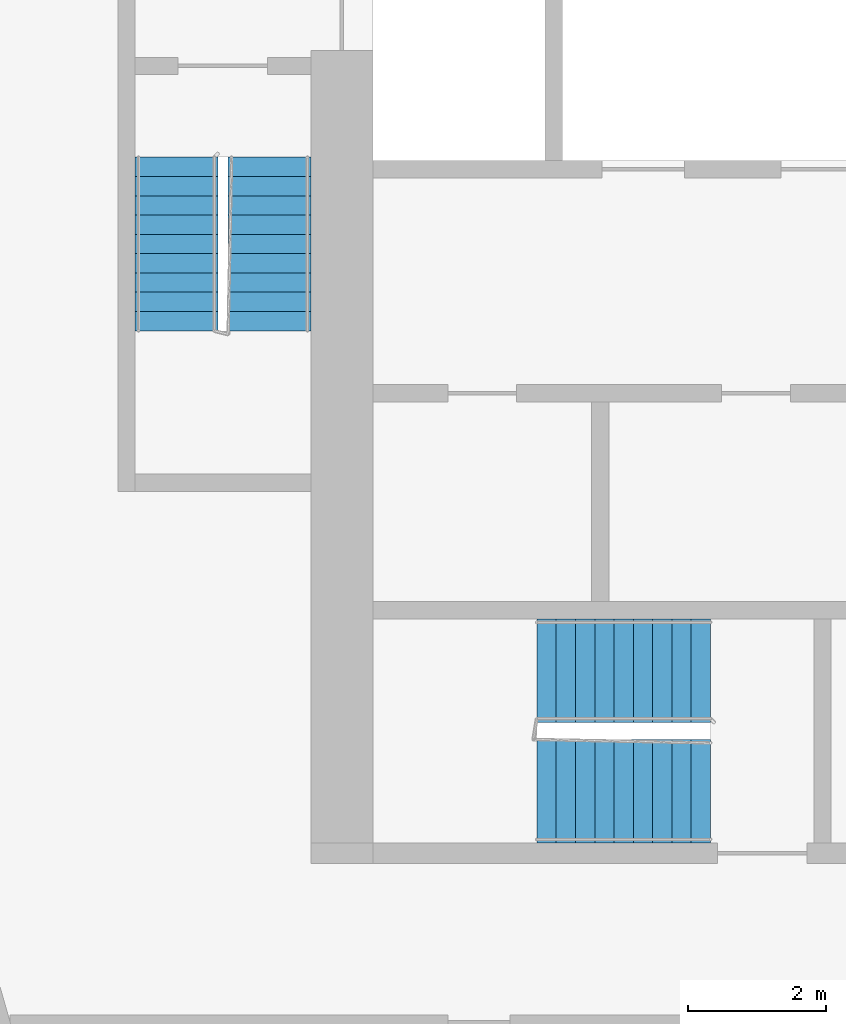
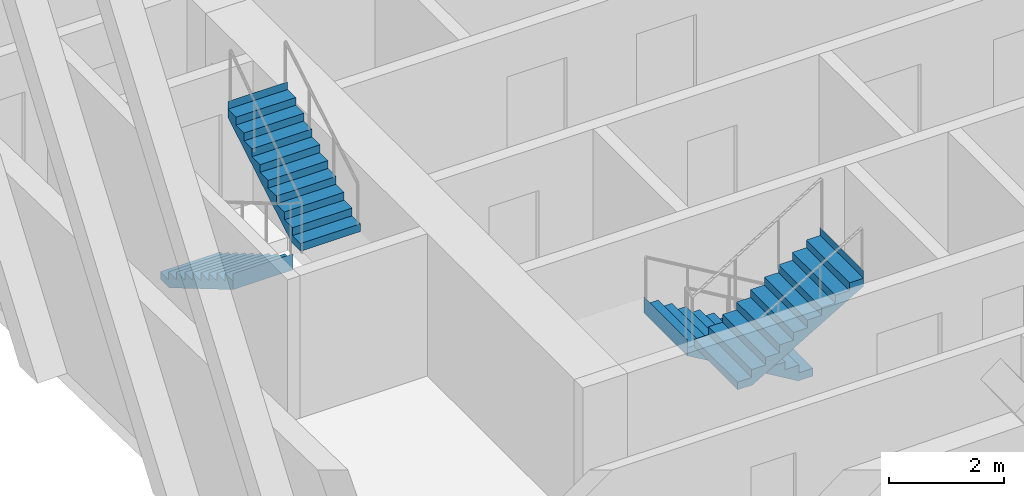
# One storey, part 8 of 12: 4 stair flights, 2 elements without a shape of their own.
"""IFC4 building model written with IfcOpenShell, lengths in metres."""

from ifc_helpers import new_model, si_unit, direction, frame, origin, place, context, subcontext, project, spatial, faceted_brep, material, type_object, element, aggregate, save


model = new_model("IFC4")

# Units and contexts
model_context = context("Model", 3, precision=1e-05, world=origin(), true_north=direction((0.0, 1.0)))
body_context = subcontext(model_context, "Body", "Model", "MODEL_VIEW")
ifc_project = project(units=[si_unit("LENGTHUNIT", "METRE"), si_unit("AREAUNIT", "SQUARE_METRE"), si_unit("VOLUMEUNIT", "CUBIC_METRE"), si_unit("PLANEANGLEUNIT", "RADIAN"), si_unit("MASSUNIT", "GRAM", prefix="KILO")], contexts=[model_context])

# Site, building, storey
site_placement = place(None, origin())
site = spatial("IfcSite", under=ifc_project, at=site_placement, CompositionType="ELEMENT")
building_placement = place(site_placement, origin())
building = spatial("IfcBuilding", under=site, at=building_placement, Name="Kajstack Hotel Tower", CompositionType="ELEMENT")
storey_placement = place(building_placement, frame((0.0, 0.0, 217.699951171875)))
storey = spatial("IfcBuildingStorey", under=building, at=storey_placement, Name="L52", CompositionType="ELEMENT", Elevation=217.699951171875)

# Stair, stair flights
ifc_material = material(Name="Concrete C40/50", Category="concrete")
stair_type_1 = type_object("IfcStairType", Name="Exit stair 1200", PredefinedType="HALF_TURN_STAIR", material=ifc_material)
stair_1_placement = place(storey_placement, origin())
stair_1 = element("IfcStair", 1, at=stair_1_placement, inside=storey, type_object=stair_type_1, Name="L52 stair W1", PredefinedType="HALF_TURN_STAIR")
stair_flight_type_1 = type_object("IfcStairFlightType", Name="Exit stair flight 1200", PredefinedType="STRAIGHT", material=ifc_material)
stair_flight_1_placement = place(storey_placement, frame((-33.449951171875, -5.25, 0.0), z_axis=(0.0, 0.0, 1.0), x_axis=(0.0, -1.0, 0.0)))
stair_flight_1 = element("IfcStairFlight", 2, at=stair_flight_1_placement, type_object=stair_flight_type_1, Name="W1 flight 1", NumberOfRisers=10, NumberOfTreads=9, PredefinedType="STRAIGHT", RiserHeight=0.165, TreadLength=0.28, context=body_context, shape_type="Brep", body=[
    faceted_brep([(0.295654296875, -0.60009765625, 0.0), (2.5205078125, -0.60009765625, 1.31103515625), (2.5205078125, -0.60009765625, 1.64990234375), (2.52001953125, -0.60009765625, 1.64990234375), (2.52001953125, -0.60009765625, 1.485107421875), (2.239990234375, -0.60009765625, 1.485107421875), (2.239990234375, -0.60009765625, 1.320068359375), (1.9599609375, -0.60009765625, 1.320068359375), (1.9599609375, -0.60009765625, 1.155029296875), (1.679931640625, -0.60009765625, 1.155029296875), (1.679931640625, -0.60009765625, 0.989990234375), (1.39990234375, -0.60009765625, 0.989990234375), (1.39990234375, -0.60009765625, 0.824951171875), (1.1201171875, -0.60009765625, 0.824951171875), (1.1201171875, -0.60009765625, 0.659912109375), (0.840087890625, -0.60009765625, 0.659912109375), (0.840087890625, -0.60009765625, 0.4951171875), (0.56005859375, -0.60009765625, 0.4951171875), (0.56005859375, -0.60009765625, 0.330078125), (0.280029296875, -0.60009765625, 0.330078125), (0.280029296875, -0.60009765625, 0.1650390625), (-0.00048828125, -0.60009765625, 0.1650390625), (-0.00048828125, -0.60009765625, 0.0), (-0.00048828125, 0.60009765625, 0.0), (-0.00048828125, 0.60009765625, 0.1650390625), (0.280029296875, 0.60009765625, 0.1650390625), (0.280029296875, 0.60009765625, 0.330078125), (0.56005859375, 0.60009765625, 0.330078125), (0.56005859375, 0.60009765625, 0.4951171875), (0.840087890625, 0.60009765625, 0.4951171875), (0.840087890625, 0.60009765625, 0.659912109375), (1.1201171875, 0.60009765625, 0.659912109375), (1.1201171875, 0.60009765625, 0.824951171875), (1.39990234375, 0.60009765625, 0.824951171875), (1.39990234375, 0.60009765625, 0.989990234375), (1.679931640625, 0.60009765625, 0.989990234375), (1.679931640625, 0.60009765625, 1.155029296875), (1.9599609375, 0.60009765625, 1.155029296875), (1.9599609375, 0.60009765625, 1.320068359375), (2.239990234375, 0.60009765625, 1.320068359375), (2.239990234375, 0.60009765625, 1.485107421875), (2.52001953125, 0.60009765625, 1.485107421875), (2.52001953125, 0.60009765625, 1.64990234375), (2.5205078125, 0.60009765625, 1.64990234375), (2.5205078125, 0.60009765625, 1.31103515625), (0.295654296875, 0.60009765625, 0.0), (-0.00048828125, -0.300048828125, 0.1650390625), (-0.00048828125, 0.0, 0.1650390625), (-0.00048828125, 0.300048828125, 0.1650390625), (-0.00048828125, 0.300048828125, 0.0), (-0.00048828125, 0.0, 0.0), (-0.00048828125, -0.300048828125, 0.0), (0.280029296875, -0.300048828125, 0.1650390625), (0.280029296875, 0.0, 0.1650390625), (0.280029296875, 0.300048828125, 0.1650390625), (0.280029296875, -0.300048828125, 0.330078125), (0.280029296875, 0.0, 0.330078125), (0.280029296875, 0.300048828125, 0.330078125), (0.56005859375, -0.300048828125, 0.330078125), (0.56005859375, 0.0, 0.330078125), (0.56005859375, 0.300048828125, 0.330078125), (0.56005859375, -0.300048828125, 0.4951171875), (0.56005859375, 0.0, 0.4951171875), (0.56005859375, 0.300048828125, 0.4951171875), (0.840087890625, -0.300048828125, 0.4951171875), (0.840087890625, 0.0, 0.4951171875), (0.840087890625, 0.300048828125, 0.4951171875), (0.840087890625, -0.300048828125, 0.659912109375), (0.840087890625, 0.0, 0.659912109375), (0.840087890625, 0.300048828125, 0.659912109375), (1.1201171875, -0.300048828125, 0.659912109375), (1.1201171875, 0.0, 0.659912109375), (1.1201171875, 0.300048828125, 0.659912109375), (1.1201171875, -0.300048828125, 0.824951171875), (1.1201171875, 0.0, 0.824951171875), (1.1201171875, 0.300048828125, 0.824951171875), (1.39990234375, -0.300048828125, 0.824951171875), (1.39990234375, 0.0, 0.824951171875), (1.39990234375, 0.300048828125, 0.824951171875), (1.39990234375, -0.300048828125, 0.989990234375), (1.39990234375, 0.0, 0.989990234375), (1.39990234375, 0.300048828125, 0.989990234375), (1.679931640625, -0.300048828125, 0.989990234375), (1.679931640625, 0.0, 0.989990234375), (1.679931640625, 0.300048828125, 0.989990234375), (1.679931640625, -0.300048828125, 1.155029296875), (1.679931640625, 0.0, 1.155029296875), (1.679931640625, 0.300048828125, 1.155029296875), (1.9599609375, -0.300048828125, 1.155029296875), (1.9599609375, 0.0, 1.155029296875), (1.9599609375, 0.300048828125, 1.155029296875), (1.9599609375, -0.300048828125, 1.320068359375), (1.9599609375, 0.0, 1.320068359375), (1.9599609375, 0.300048828125, 1.320068359375), (2.239990234375, -0.300048828125, 1.320068359375), (2.239990234375, 0.0, 1.320068359375), (2.239990234375, 0.300048828125, 1.320068359375), (2.239990234375, -0.300048828125, 1.485107421875), (2.239990234375, 0.0, 1.485107421875), (2.239990234375, 0.300048828125, 1.485107421875), (2.52001953125, -0.300048828125, 1.485107421875), (2.52001953125, 0.0, 1.485107421875), (2.52001953125, 0.300048828125, 1.485107421875), (2.52001953125, -0.300048828125, 1.64990234375), (2.52001953125, 0.0, 1.64990234375), (2.52001953125, 0.300048828125, 1.64990234375), (2.5205078125, -0.300048828125, 1.64990234375), (2.5205078125, 0.0, 1.64990234375), (2.5205078125, 0.300048828125, 1.64990234375), (2.5205078125, -0.300048828125, 1.31103515625), (2.5205078125, 0.0, 1.31103515625), (2.5205078125, 0.300048828125, 1.31103515625), (0.295654296875, -0.300048828125, 0.0), (0.295654296875, 0.0, 0.0), (0.295654296875, 0.300048828125, 0.0)], [[[0, 1, 2, 3, 4, 5, 6, 7, 8, 9, 10, 11, 12, 13, 14, 15, 16, 17, 18, 19, 20, 21, 22]], [[23, 24, 25, 26, 27, 28, 29, 30, 31, 32, 33, 34, 35, 36, 37, 38, 39, 40, 41, 42, 43, 44, 45]], [[21, 46, 47, 48, 24, 23, 49, 50, 51, 22]], [[20, 52, 53, 54, 25, 24, 48, 47, 46, 21]], [[19, 55, 56, 57, 26, 25, 54, 53, 52, 20]], [[18, 58, 59, 60, 27, 26, 57, 56, 55, 19]], [[17, 61, 62, 63, 28, 27, 60, 59, 58, 18]], [[16, 64, 65, 66, 29, 28, 63, 62, 61, 17]], [[15, 67, 68, 69, 30, 29, 66, 65, 64, 16]], [[14, 70, 71, 72, 31, 30, 69, 68, 67, 15]], [[13, 73, 74, 75, 32, 31, 72, 71, 70, 14]], [[12, 76, 77, 78, 33, 32, 75, 74, 73, 13]], [[11, 79, 80, 81, 34, 33, 78, 77, 76, 12]], [[10, 82, 83, 84, 35, 34, 81, 80, 79, 11]], [[9, 85, 86, 87, 36, 35, 84, 83, 82, 10]], [[8, 88, 89, 90, 37, 36, 87, 86, 85, 9]], [[7, 91, 92, 93, 38, 37, 90, 89, 88, 8]], [[6, 94, 95, 96, 39, 38, 93, 92, 91, 7]], [[5, 97, 98, 99, 40, 39, 96, 95, 94, 6]], [[4, 100, 101, 102, 41, 40, 99, 98, 97, 5]], [[3, 103, 104, 105, 42, 41, 102, 101, 100, 4]], [[2, 106, 107, 108, 43, 42, 105, 104, 103, 3]], [[1, 109, 110, 111, 44, 43, 108, 107, 106, 2]], [[0, 112, 113, 114, 45, 44, 111, 110, 109, 1]], [[22, 51, 50, 49, 23, 45, 114, 113, 112, 0]]]),
])
stair_flight_2_placement = place(storey_placement, frame((-32.10009765625, -7.77001953125, 1.650146484375), z_axis=(0.0, 0.0, 1.0), x_axis=(0.0, 1.0, 0.0)))
stair_flight_2 = element("IfcStairFlight", 3, at=stair_flight_2_placement, type_object=stair_flight_type_1, Name="W1 flight 2", NumberOfRisers=10, NumberOfTreads=9, PredefinedType="STRAIGHT", RiserHeight=0.165, TreadLength=0.28, context=body_context, shape_type="Brep", body=[
    faceted_brep([(0.295654296875, -0.60009765625, 0.0), (2.5205078125, -0.60009765625, 1.31103515625), (2.5205078125, -0.60009765625, 1.64990234375), (2.52001953125, -0.60009765625, 1.64990234375), (2.52001953125, -0.60009765625, 1.485107421875), (2.239990234375, -0.60009765625, 1.485107421875), (2.239990234375, -0.60009765625, 1.320068359375), (1.9599609375, -0.60009765625, 1.320068359375), (1.9599609375, -0.60009765625, 1.155029296875), (1.679931640625, -0.60009765625, 1.155029296875), (1.679931640625, -0.60009765625, 0.989990234375), (1.39990234375, -0.60009765625, 0.989990234375), (1.39990234375, -0.60009765625, 0.824951171875), (1.1201171875, -0.60009765625, 0.824951171875), (1.1201171875, -0.60009765625, 0.659912109375), (0.840087890625, -0.60009765625, 0.659912109375), (0.840087890625, -0.60009765625, 0.4951171875), (0.56005859375, -0.60009765625, 0.4951171875), (0.56005859375, -0.60009765625, 0.330078125), (0.280029296875, -0.60009765625, 0.330078125), (0.280029296875, -0.60009765625, 0.1650390625), (-0.00048828125, -0.60009765625, 0.1650390625), (-0.00048828125, -0.60009765625, 0.0), (-0.00048828125, 0.60009765625, 0.0), (-0.00048828125, 0.60009765625, 0.1650390625), (0.280029296875, 0.60009765625, 0.1650390625), (0.280029296875, 0.60009765625, 0.330078125), (0.56005859375, 0.60009765625, 0.330078125), (0.56005859375, 0.60009765625, 0.4951171875), (0.840087890625, 0.60009765625, 0.4951171875), (0.840087890625, 0.60009765625, 0.659912109375), (1.1201171875, 0.60009765625, 0.659912109375), (1.1201171875, 0.60009765625, 0.824951171875), (1.39990234375, 0.60009765625, 0.824951171875), (1.39990234375, 0.60009765625, 0.989990234375), (1.679931640625, 0.60009765625, 0.989990234375), (1.679931640625, 0.60009765625, 1.155029296875), (1.9599609375, 0.60009765625, 1.155029296875), (1.9599609375, 0.60009765625, 1.320068359375), (2.239990234375, 0.60009765625, 1.320068359375), (2.239990234375, 0.60009765625, 1.485107421875), (2.52001953125, 0.60009765625, 1.485107421875), (2.52001953125, 0.60009765625, 1.64990234375), (2.5205078125, 0.60009765625, 1.64990234375), (2.5205078125, 0.60009765625, 1.31103515625), (0.295654296875, 0.60009765625, 0.0), (-0.00048828125, -0.300048828125, 0.1650390625), (-0.00048828125, 0.0, 0.1650390625), (-0.00048828125, 0.300048828125, 0.1650390625), (-0.00048828125, 0.300048828125, 0.0), (-0.00048828125, 0.0, 0.0), (-0.00048828125, -0.300048828125, 0.0), (0.280029296875, -0.300048828125, 0.1650390625), (0.280029296875, 0.0, 0.1650390625), (0.280029296875, 0.300048828125, 0.1650390625), (0.280029296875, -0.300048828125, 0.330078125), (0.280029296875, 0.0, 0.330078125), (0.280029296875, 0.300048828125, 0.330078125), (0.56005859375, -0.300048828125, 0.330078125), (0.56005859375, 0.0, 0.330078125), (0.56005859375, 0.300048828125, 0.330078125), (0.56005859375, -0.300048828125, 0.4951171875), (0.56005859375, 0.0, 0.4951171875), (0.56005859375, 0.300048828125, 0.4951171875), (0.840087890625, -0.300048828125, 0.4951171875), (0.840087890625, 0.0, 0.4951171875), (0.840087890625, 0.300048828125, 0.4951171875), (0.840087890625, -0.300048828125, 0.659912109375), (0.840087890625, 0.0, 0.659912109375), (0.840087890625, 0.300048828125, 0.659912109375), (1.1201171875, -0.300048828125, 0.659912109375), (1.1201171875, 0.0, 0.659912109375), (1.1201171875, 0.300048828125, 0.659912109375), (1.1201171875, -0.300048828125, 0.824951171875), (1.1201171875, 0.0, 0.824951171875), (1.1201171875, 0.300048828125, 0.824951171875), (1.39990234375, -0.300048828125, 0.824951171875), (1.39990234375, 0.0, 0.824951171875), (1.39990234375, 0.300048828125, 0.824951171875), (1.39990234375, -0.300048828125, 0.989990234375), (1.39990234375, 0.0, 0.989990234375), (1.39990234375, 0.300048828125, 0.989990234375), (1.679931640625, -0.300048828125, 0.989990234375), (1.679931640625, 0.0, 0.989990234375), (1.679931640625, 0.300048828125, 0.989990234375), (1.679931640625, -0.300048828125, 1.155029296875), (1.679931640625, 0.0, 1.155029296875), (1.679931640625, 0.300048828125, 1.155029296875), (1.9599609375, -0.300048828125, 1.155029296875), (1.9599609375, 0.0, 1.155029296875), (1.9599609375, 0.300048828125, 1.155029296875), (1.9599609375, -0.300048828125, 1.320068359375), (1.9599609375, 0.0, 1.320068359375), (1.9599609375, 0.300048828125, 1.320068359375), (2.239990234375, -0.300048828125, 1.320068359375), (2.239990234375, 0.0, 1.320068359375), (2.239990234375, 0.300048828125, 1.320068359375), (2.239990234375, -0.300048828125, 1.485107421875), (2.239990234375, 0.0, 1.485107421875), (2.239990234375, 0.300048828125, 1.485107421875), (2.52001953125, -0.300048828125, 1.485107421875), (2.52001953125, 0.0, 1.485107421875), (2.52001953125, 0.300048828125, 1.485107421875), (2.52001953125, -0.300048828125, 1.64990234375), (2.52001953125, 0.0, 1.64990234375), (2.52001953125, 0.300048828125, 1.64990234375), (2.5205078125, -0.300048828125, 1.64990234375), (2.5205078125, 0.0, 1.64990234375), (2.5205078125, 0.300048828125, 1.64990234375), (2.5205078125, -0.300048828125, 1.31103515625), (2.5205078125, 0.0, 1.31103515625), (2.5205078125, 0.300048828125, 1.31103515625), (0.295654296875, -0.300048828125, 0.0), (0.295654296875, 0.0, 0.0), (0.295654296875, 0.300048828125, 0.0)], [[[0, 1, 2, 3, 4, 5, 6, 7, 8, 9, 10, 11, 12, 13, 14, 15, 16, 17, 18, 19, 20, 21, 22]], [[23, 24, 25, 26, 27, 28, 29, 30, 31, 32, 33, 34, 35, 36, 37, 38, 39, 40, 41, 42, 43, 44, 45]], [[21, 46, 47, 48, 24, 23, 49, 50, 51, 22]], [[20, 52, 53, 54, 25, 24, 48, 47, 46, 21]], [[19, 55, 56, 57, 26, 25, 54, 53, 52, 20]], [[18, 58, 59, 60, 27, 26, 57, 56, 55, 19]], [[17, 61, 62, 63, 28, 27, 60, 59, 58, 18]], [[16, 64, 65, 66, 29, 28, 63, 62, 61, 17]], [[15, 67, 68, 69, 30, 29, 66, 65, 64, 16]], [[14, 70, 71, 72, 31, 30, 69, 68, 67, 15]], [[13, 73, 74, 75, 32, 31, 72, 71, 70, 14]], [[12, 76, 77, 78, 33, 32, 75, 74, 73, 13]], [[11, 79, 80, 81, 34, 33, 78, 77, 76, 12]], [[10, 82, 83, 84, 35, 34, 81, 80, 79, 11]], [[9, 85, 86, 87, 36, 35, 84, 83, 82, 10]], [[8, 88, 89, 90, 37, 36, 87, 86, 85, 9]], [[7, 91, 92, 93, 38, 37, 90, 89, 88, 8]], [[6, 94, 95, 96, 39, 38, 93, 92, 91, 7]], [[5, 97, 98, 99, 40, 39, 96, 95, 94, 6]], [[4, 100, 101, 102, 41, 40, 99, 98, 97, 5]], [[3, 103, 104, 105, 42, 41, 102, 101, 100, 4]], [[2, 106, 107, 108, 43, 42, 105, 104, 103, 3]], [[1, 109, 110, 111, 44, 43, 108, 107, 106, 2]], [[0, 112, 113, 114, 45, 44, 111, 110, 109, 1]], [[22, 51, 50, 49, 23, 45, 114, 113, 112, 0]]]),
])
aggregate(stair_1, [stair_flight_1, stair_flight_2])

stair_type_2 = type_object("IfcStairType", Name="Exit stair 1500", PredefinedType="HALF_TURN_STAIR", material=ifc_material)
stair_2_placement = place(storey_placement, origin())
stair_2 = element("IfcStair", 4, at=stair_2_placement, inside=storey, type_object=stair_type_2, Name="L52 stair W3", PredefinedType="HALF_TURN_STAIR")
stair_flight_type_2 = type_object("IfcStairFlightType", Name="Exit stair flight 1500", PredefinedType="STRAIGHT", material=ifc_material)
stair_flight_3_placement = place(storey_placement, frame((-25.699951171875, -12.699951171875, 0.0), z_axis=(0.0, 0.0, 1.0), x_axis=(-1.0, 0.0, 0.0)))
stair_flight_3 = element("IfcStairFlight", 5, at=stair_flight_3_placement, type_object=stair_flight_type_2, Name="W3 flight 1", NumberOfRisers=10, NumberOfTreads=9, PredefinedType="STRAIGHT", RiserHeight=0.165, TreadLength=0.28, context=body_context, shape_type="Brep", body=[
    faceted_brep([(0.295654296875, -0.75, 0.0), (2.5205078125, -0.75, 1.31103515625), (2.5205078125, -0.75, 1.64990234375), (2.52001953125, -0.75, 1.64990234375), (2.52001953125, -0.75, 1.485107421875), (2.239990234375, -0.75, 1.485107421875), (2.239990234375, -0.75, 1.320068359375), (1.9599609375, -0.75, 1.320068359375), (1.9599609375, -0.75, 1.155029296875), (1.679931640625, -0.75, 1.155029296875), (1.679931640625, -0.75, 0.989990234375), (1.39990234375, -0.75, 0.989990234375), (1.39990234375, -0.75, 0.824951171875), (1.1201171875, -0.75, 0.824951171875), (1.1201171875, -0.75, 0.659912109375), (0.840087890625, -0.75, 0.659912109375), (0.840087890625, -0.75, 0.4951171875), (0.56005859375, -0.75, 0.4951171875), (0.56005859375, -0.75, 0.330078125), (0.280029296875, -0.75, 0.330078125), (0.280029296875, -0.75, 0.1650390625), (-0.00048828125, -0.75, 0.1650390625), (-0.00048828125, -0.75, 0.0), (-0.00048828125, 0.75, 0.0), (-0.00048828125, 0.75, 0.1650390625), (0.280029296875, 0.75, 0.1650390625), (0.280029296875, 0.75, 0.330078125), (0.56005859375, 0.75, 0.330078125), (0.56005859375, 0.75, 0.4951171875), (0.840087890625, 0.75, 0.4951171875), (0.840087890625, 0.75, 0.659912109375), (1.1201171875, 0.75, 0.659912109375), (1.1201171875, 0.75, 0.824951171875), (1.39990234375, 0.75, 0.824951171875), (1.39990234375, 0.75, 0.989990234375), (1.679931640625, 0.75, 0.989990234375), (1.679931640625, 0.75, 1.155029296875), (1.9599609375, 0.75, 1.155029296875), (1.9599609375, 0.75, 1.320068359375), (2.239990234375, 0.75, 1.320068359375), (2.239990234375, 0.75, 1.485107421875), (2.52001953125, 0.75, 1.485107421875), (2.52001953125, 0.75, 1.64990234375), (2.5205078125, 0.75, 1.64990234375), (2.5205078125, 0.75, 1.31103515625), (0.295654296875, 0.75, 0.0), (-0.00048828125, -0.375, 0.1650390625), (-0.00048828125, 0.0, 0.1650390625), (-0.00048828125, 0.375, 0.1650390625), (-0.00048828125, 0.375, 0.0), (-0.00048828125, 0.0, 0.0), (-0.00048828125, -0.375, 0.0), (0.280029296875, -0.375, 0.1650390625), (0.280029296875, 0.0, 0.1650390625), (0.280029296875, 0.375, 0.1650390625), (0.280029296875, -0.375, 0.330078125), (0.280029296875, 0.0, 0.330078125), (0.280029296875, 0.375, 0.330078125), (0.56005859375, -0.375, 0.330078125), (0.56005859375, 0.0, 0.330078125), (0.56005859375, 0.375, 0.330078125), (0.56005859375, -0.375, 0.4951171875), (0.56005859375, 0.0, 0.4951171875), (0.56005859375, 0.375, 0.4951171875), (0.840087890625, -0.375, 0.4951171875), (0.840087890625, 0.0, 0.4951171875), (0.840087890625, 0.375, 0.4951171875), (0.840087890625, -0.375, 0.659912109375), (0.840087890625, 0.0, 0.659912109375), (0.840087890625, 0.375, 0.659912109375), (1.1201171875, -0.375, 0.659912109375), (1.1201171875, 0.0, 0.659912109375), (1.1201171875, 0.375, 0.659912109375), (1.1201171875, -0.375, 0.824951171875), (1.1201171875, 0.0, 0.824951171875), (1.1201171875, 0.375, 0.824951171875), (1.39990234375, -0.375, 0.824951171875), (1.39990234375, 0.0, 0.824951171875), (1.39990234375, 0.375, 0.824951171875), (1.39990234375, -0.375, 0.989990234375), (1.39990234375, 0.0, 0.989990234375), (1.39990234375, 0.375, 0.989990234375), (1.679931640625, -0.375, 0.989990234375), (1.679931640625, 0.0, 0.989990234375), (1.679931640625, 0.375, 0.989990234375), (1.679931640625, -0.375, 1.155029296875), (1.679931640625, 0.0, 1.155029296875), (1.679931640625, 0.375, 1.155029296875), (1.9599609375, -0.375, 1.155029296875), (1.9599609375, 0.0, 1.155029296875), (1.9599609375, 0.375, 1.155029296875), (1.9599609375, -0.375, 1.320068359375), (1.9599609375, 0.0, 1.320068359375), (1.9599609375, 0.375, 1.320068359375), (2.239990234375, -0.375, 1.320068359375), (2.239990234375, 0.0, 1.320068359375), (2.239990234375, 0.375, 1.320068359375), (2.239990234375, -0.375, 1.485107421875), (2.239990234375, 0.0, 1.485107421875), (2.239990234375, 0.375, 1.485107421875), (2.52001953125, -0.375, 1.485107421875), (2.52001953125, 0.0, 1.485107421875), (2.52001953125, 0.375, 1.485107421875), (2.52001953125, -0.375, 1.64990234375), (2.52001953125, 0.0, 1.64990234375), (2.52001953125, 0.375, 1.64990234375), (2.5205078125, -0.375, 1.64990234375), (2.5205078125, 0.0, 1.64990234375), (2.5205078125, 0.375, 1.64990234375), (2.5205078125, -0.375, 1.31103515625), (2.5205078125, 0.0, 1.31103515625), (2.5205078125, 0.375, 1.31103515625), (0.295654296875, -0.375, 0.0), (0.295654296875, 0.0, 0.0), (0.295654296875, 0.375, 0.0)], [[[0, 1, 2, 3, 4, 5, 6, 7, 8, 9, 10, 11, 12, 13, 14, 15, 16, 17, 18, 19, 20, 21, 22]], [[23, 24, 25, 26, 27, 28, 29, 30, 31, 32, 33, 34, 35, 36, 37, 38, 39, 40, 41, 42, 43, 44, 45]], [[21, 46, 47, 48, 24, 23, 49, 50, 51, 22]], [[20, 52, 53, 54, 25, 24, 48, 47, 46, 21]], [[19, 55, 56, 57, 26, 25, 54, 53, 52, 20]], [[18, 58, 59, 60, 27, 26, 57, 56, 55, 19]], [[17, 61, 62, 63, 28, 27, 60, 59, 58, 18]], [[16, 64, 65, 66, 29, 28, 63, 62, 61, 17]], [[15, 67, 68, 69, 30, 29, 66, 65, 64, 16]], [[14, 70, 71, 72, 31, 30, 69, 68, 67, 15]], [[13, 73, 74, 75, 32, 31, 72, 71, 70, 14]], [[12, 76, 77, 78, 33, 32, 75, 74, 73, 13]], [[11, 79, 80, 81, 34, 33, 78, 77, 76, 12]], [[10, 82, 83, 84, 35, 34, 81, 80, 79, 11]], [[9, 85, 86, 87, 36, 35, 84, 83, 82, 10]], [[8, 88, 89, 90, 37, 36, 87, 86, 85, 9]], [[7, 91, 92, 93, 38, 37, 90, 89, 88, 8]], [[6, 94, 95, 96, 39, 38, 93, 92, 91, 7]], [[5, 97, 98, 99, 40, 39, 96, 95, 94, 6]], [[4, 100, 101, 102, 41, 40, 99, 98, 97, 5]], [[3, 103, 104, 105, 42, 41, 102, 101, 100, 4]], [[2, 106, 107, 108, 43, 42, 105, 104, 103, 3]], [[1, 109, 110, 111, 44, 43, 108, 107, 106, 2]], [[0, 112, 113, 114, 45, 44, 111, 110, 109, 1]], [[22, 51, 50, 49, 23, 45, 114, 113, 112, 0]]]),
])
stair_flight_4_placement = place(storey_placement, frame((-28.219970703125, -14.449951171875, 1.650146484375), z_axis=(0.0, 0.0, 1.0), x_axis=(1.0, 0.0, 0.0)))
stair_flight_4 = element("IfcStairFlight", 6, at=stair_flight_4_placement, type_object=stair_flight_type_2, Name="W3 flight 2", NumberOfRisers=10, NumberOfTreads=9, PredefinedType="STRAIGHT", RiserHeight=0.165, TreadLength=0.28, context=body_context, shape_type="Brep", body=[
    faceted_brep([(0.295654296875, -0.75, 0.0), (2.5205078125, -0.75, 1.31103515625), (2.5205078125, -0.75, 1.64990234375), (2.52001953125, -0.75, 1.64990234375), (2.52001953125, -0.75, 1.485107421875), (2.239990234375, -0.75, 1.485107421875), (2.239990234375, -0.75, 1.320068359375), (1.9599609375, -0.75, 1.320068359375), (1.9599609375, -0.75, 1.155029296875), (1.679931640625, -0.75, 1.155029296875), (1.679931640625, -0.75, 0.989990234375), (1.39990234375, -0.75, 0.989990234375), (1.39990234375, -0.75, 0.824951171875), (1.1201171875, -0.75, 0.824951171875), (1.1201171875, -0.75, 0.659912109375), (0.840087890625, -0.75, 0.659912109375), (0.840087890625, -0.75, 0.4951171875), (0.56005859375, -0.75, 0.4951171875), (0.56005859375, -0.75, 0.330078125), (0.280029296875, -0.75, 0.330078125), (0.280029296875, -0.75, 0.1650390625), (-0.00048828125, -0.75, 0.1650390625), (-0.00048828125, -0.75, 0.0), (-0.00048828125, 0.75, 0.0), (-0.00048828125, 0.75, 0.1650390625), (0.280029296875, 0.75, 0.1650390625), (0.280029296875, 0.75, 0.330078125), (0.56005859375, 0.75, 0.330078125), (0.56005859375, 0.75, 0.4951171875), (0.840087890625, 0.75, 0.4951171875), (0.840087890625, 0.75, 0.659912109375), (1.1201171875, 0.75, 0.659912109375), (1.1201171875, 0.75, 0.824951171875), (1.39990234375, 0.75, 0.824951171875), (1.39990234375, 0.75, 0.989990234375), (1.679931640625, 0.75, 0.989990234375), (1.679931640625, 0.75, 1.155029296875), (1.9599609375, 0.75, 1.155029296875), (1.9599609375, 0.75, 1.320068359375), (2.239990234375, 0.75, 1.320068359375), (2.239990234375, 0.75, 1.485107421875), (2.52001953125, 0.75, 1.485107421875), (2.52001953125, 0.75, 1.64990234375), (2.5205078125, 0.75, 1.64990234375), (2.5205078125, 0.75, 1.31103515625), (0.295654296875, 0.75, 0.0), (-0.00048828125, -0.375, 0.1650390625), (-0.00048828125, 0.0, 0.1650390625), (-0.00048828125, 0.375, 0.1650390625), (-0.00048828125, 0.375, 0.0), (-0.00048828125, 0.0, 0.0), (-0.00048828125, -0.375, 0.0), (0.280029296875, -0.375, 0.1650390625), (0.280029296875, 0.0, 0.1650390625), (0.280029296875, 0.375, 0.1650390625), (0.280029296875, -0.375, 0.330078125), (0.280029296875, 0.0, 0.330078125), (0.280029296875, 0.375, 0.330078125), (0.56005859375, -0.375, 0.330078125), (0.56005859375, 0.0, 0.330078125), (0.56005859375, 0.375, 0.330078125), (0.56005859375, -0.375, 0.4951171875), (0.56005859375, 0.0, 0.4951171875), (0.56005859375, 0.375, 0.4951171875), (0.840087890625, -0.375, 0.4951171875), (0.840087890625, 0.0, 0.4951171875), (0.840087890625, 0.375, 0.4951171875), (0.840087890625, -0.375, 0.659912109375), (0.840087890625, 0.0, 0.659912109375), (0.840087890625, 0.375, 0.659912109375), (1.1201171875, -0.375, 0.659912109375), (1.1201171875, 0.0, 0.659912109375), (1.1201171875, 0.375, 0.659912109375), (1.1201171875, -0.375, 0.824951171875), (1.1201171875, 0.0, 0.824951171875), (1.1201171875, 0.375, 0.824951171875), (1.39990234375, -0.375, 0.824951171875), (1.39990234375, 0.0, 0.824951171875), (1.39990234375, 0.375, 0.824951171875), (1.39990234375, -0.375, 0.989990234375), (1.39990234375, 0.0, 0.989990234375), (1.39990234375, 0.375, 0.989990234375), (1.679931640625, -0.375, 0.989990234375), (1.679931640625, 0.0, 0.989990234375), (1.679931640625, 0.375, 0.989990234375), (1.679931640625, -0.375, 1.155029296875), (1.679931640625, 0.0, 1.155029296875), (1.679931640625, 0.375, 1.155029296875), (1.9599609375, -0.375, 1.155029296875), (1.9599609375, 0.0, 1.155029296875), (1.9599609375, 0.375, 1.155029296875), (1.9599609375, -0.375, 1.320068359375), (1.9599609375, 0.0, 1.320068359375), (1.9599609375, 0.375, 1.320068359375), (2.239990234375, -0.375, 1.320068359375), (2.239990234375, 0.0, 1.320068359375), (2.239990234375, 0.375, 1.320068359375), (2.239990234375, -0.375, 1.485107421875), (2.239990234375, 0.0, 1.485107421875), (2.239990234375, 0.375, 1.485107421875), (2.52001953125, -0.375, 1.485107421875), (2.52001953125, 0.0, 1.485107421875), (2.52001953125, 0.375, 1.485107421875), (2.52001953125, -0.375, 1.64990234375), (2.52001953125, 0.0, 1.64990234375), (2.52001953125, 0.375, 1.64990234375), (2.5205078125, -0.375, 1.64990234375), (2.5205078125, 0.0, 1.64990234375), (2.5205078125, 0.375, 1.64990234375), (2.5205078125, -0.375, 1.31103515625), (2.5205078125, 0.0, 1.31103515625), (2.5205078125, 0.375, 1.31103515625), (0.295654296875, -0.375, 0.0), (0.295654296875, 0.0, 0.0), (0.295654296875, 0.375, 0.0)], [[[0, 1, 2, 3, 4, 5, 6, 7, 8, 9, 10, 11, 12, 13, 14, 15, 16, 17, 18, 19, 20, 21, 22]], [[23, 24, 25, 26, 27, 28, 29, 30, 31, 32, 33, 34, 35, 36, 37, 38, 39, 40, 41, 42, 43, 44, 45]], [[21, 46, 47, 48, 24, 23, 49, 50, 51, 22]], [[20, 52, 53, 54, 25, 24, 48, 47, 46, 21]], [[19, 55, 56, 57, 26, 25, 54, 53, 52, 20]], [[18, 58, 59, 60, 27, 26, 57, 56, 55, 19]], [[17, 61, 62, 63, 28, 27, 60, 59, 58, 18]], [[16, 64, 65, 66, 29, 28, 63, 62, 61, 17]], [[15, 67, 68, 69, 30, 29, 66, 65, 64, 16]], [[14, 70, 71, 72, 31, 30, 69, 68, 67, 15]], [[13, 73, 74, 75, 32, 31, 72, 71, 70, 14]], [[12, 76, 77, 78, 33, 32, 75, 74, 73, 13]], [[11, 79, 80, 81, 34, 33, 78, 77, 76, 12]], [[10, 82, 83, 84, 35, 34, 81, 80, 79, 11]], [[9, 85, 86, 87, 36, 35, 84, 83, 82, 10]], [[8, 88, 89, 90, 37, 36, 87, 86, 85, 9]], [[7, 91, 92, 93, 38, 37, 90, 89, 88, 8]], [[6, 94, 95, 96, 39, 38, 93, 92, 91, 7]], [[5, 97, 98, 99, 40, 39, 96, 95, 94, 6]], [[4, 100, 101, 102, 41, 40, 99, 98, 97, 5]], [[3, 103, 104, 105, 42, 41, 102, 101, 100, 4]], [[2, 106, 107, 108, 43, 42, 105, 104, 103, 3]], [[1, 109, 110, 111, 44, 43, 108, 107, 106, 2]], [[0, 112, 113, 114, 45, 44, 111, 110, 109, 1]], [[22, 51, 50, 49, 23, 45, 114, 113, 112, 0]]]),
])
aggregate(stair_2, [stair_flight_3, stair_flight_4])

save(model, "model.ifc")
